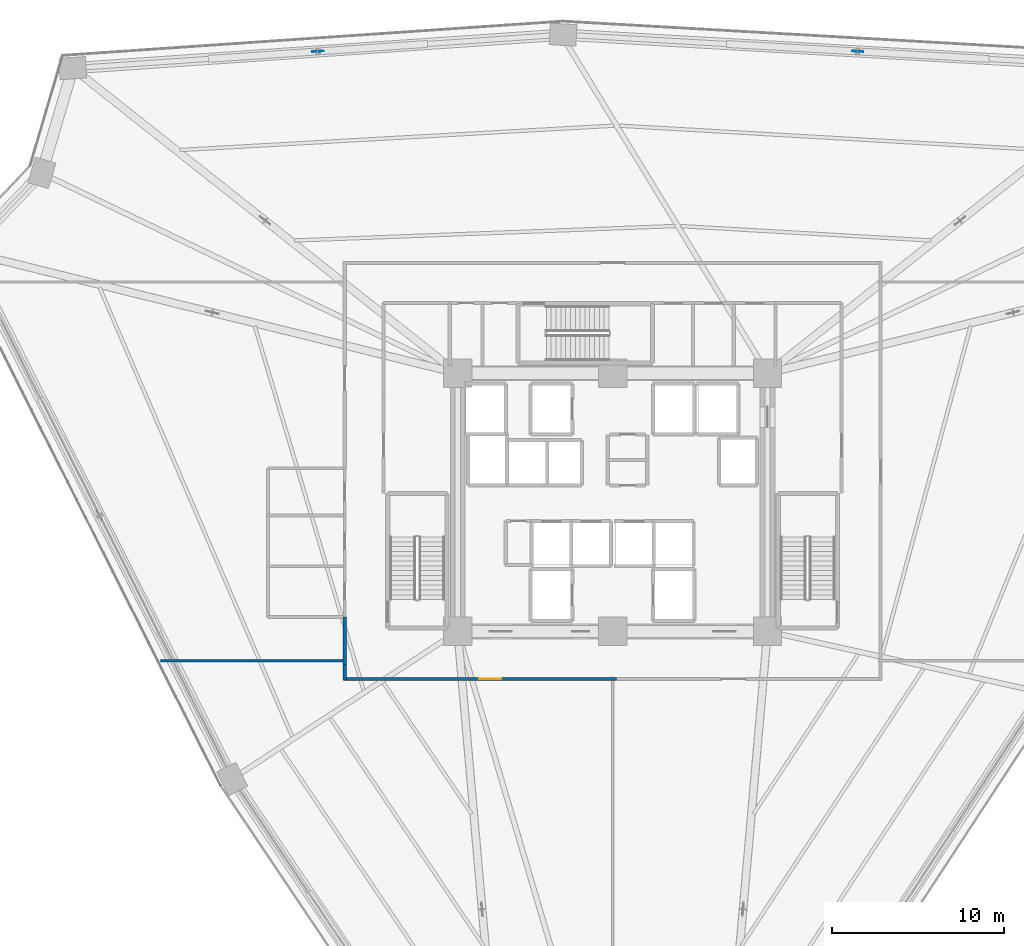
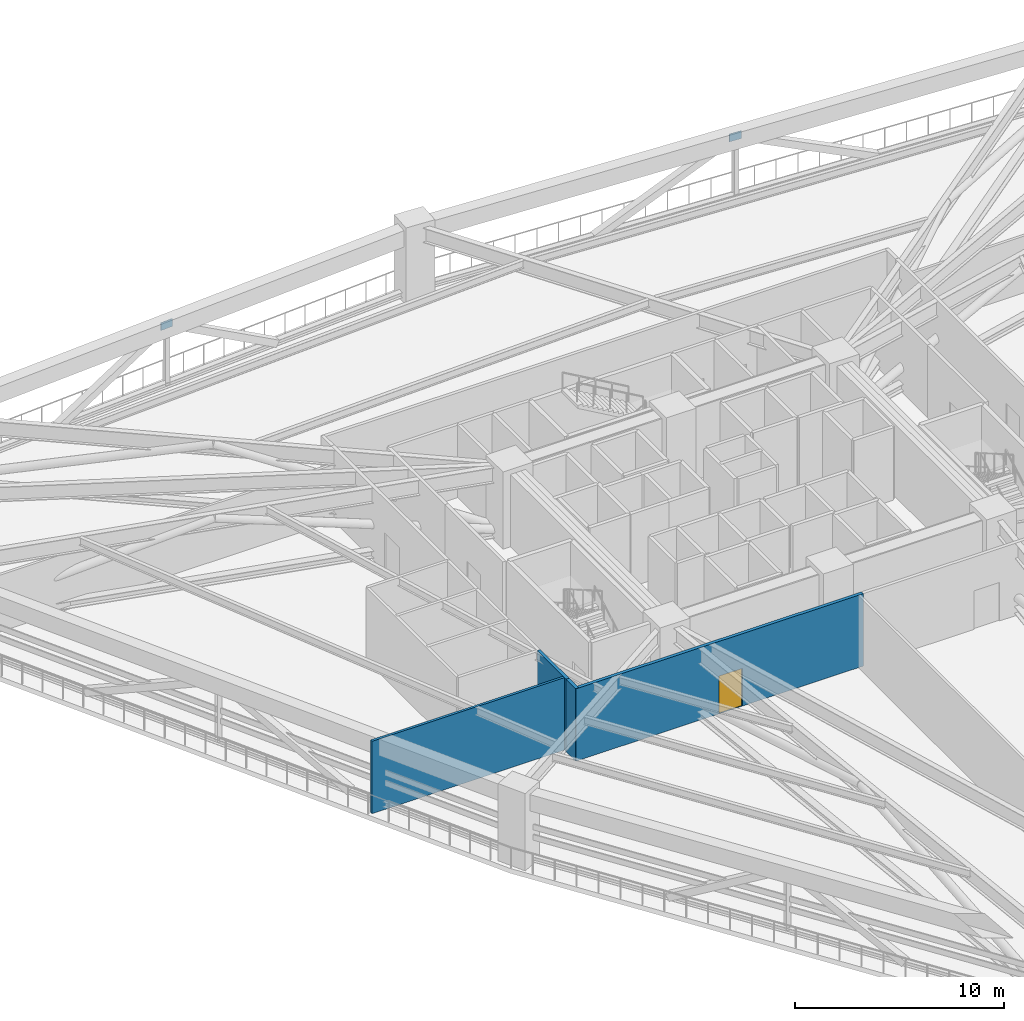
# One storey, part 16 of 25: 4 walls, 2 plates, 1 door, 1 opening.
"""IFC4 building model written with IfcOpenShell, lengths in metres."""

from ifc_helpers import new_model, si_unit, direction, frame, frame_2d, origin, origin_2d, place, context, subcontext, project, spatial, rectangle, extrude, source, transform, mapped, material, layer, layer_set, type_object, element, fill, save


model = new_model("IFC4")

# Units and contexts
model_context = context("Model", 3, precision=1e-05, world=origin(), true_north=direction((0.0, 1.0)))
body_context = subcontext(model_context, "Body", "Model", "MODEL_VIEW")
ifc_project = project(units=[si_unit("LENGTHUNIT", "METRE"), si_unit("AREAUNIT", "SQUARE_METRE"), si_unit("VOLUMEUNIT", "CUBIC_METRE"), si_unit("PLANEANGLEUNIT", "RADIAN"), si_unit("MASSUNIT", "GRAM", prefix="KILO")], contexts=[model_context])

# Site, building, storey
site_placement = place(None, origin())
site = spatial("IfcSite", under=ifc_project, at=site_placement, CompositionType="ELEMENT")
building_placement = place(site_placement, origin())
building = spatial("IfcBuilding", under=site, at=building_placement, Name="Liaohun Quay Tower", CompositionType="ELEMENT")
storey_placement = place(building_placement, frame((0.0, 0.0, 93.0)))
storey = spatial("IfcBuildingStorey", under=building, at=storey_placement, Name="L24", CompositionType="ELEMENT", Elevation=93.0)

# Plates
ifc_material_1 = material(Name="Steel Q420D outrigger node gusset plate", Category="steel")
ifc_layer_1 = layer(ifc_material_1, 0.0400390625, Name="Steel Q420D outrigger node gusset plate", Category="steel")
ifc_layer_set_1 = layer_set([ifc_layer_1], Name="Steel Q420D outrigger node gusset plate")
plate_type = type_object("IfcPlateType", Name="PLT-GUS-OUT", PredefinedType="USERDEFINED", material=ifc_layer_set_1)
shared_shape_1 = source(origin(), body_context, "Body", "SweptSolid", [
    extrude(rectangle(XDim=0.64990234375, YDim=0.035888671875, at=origin_2d()), origin(), (0.0, 0.0, 1.0), 0.449951171875),
])
for number, where, z_axis, x_axis, name in (
    (1, (42.8798828125, 80.195068359375, 3.59521484375), (0.0, 0.0, 1.0), (0.997672392732, 0.068189418384, 0.0), "L24 Belt Truss Node Gusset Plate GP1-B03"),
    (2, (74.2451171875, 80.19189453125, 3.59521484375), (0.0, 0.0, 1.0), (0.998381760593, -0.056867038918, 0.0), "L24 Belt Truss Node Gusset Plate GP1-B04"),
):
    element("IfcPlate", number, at=place(storey_placement, frame(where, z_axis=z_axis, x_axis=x_axis)), inside=storey, type_object=plate_type, Name=name, ObjectType="GUSSET PLATE", PredefinedType="USERDEFINED", context=body_context, shape_type="MappedRepresentation", body=[
        mapped(shared_shape_1, transform((0.0, 0.0, 0.0), x_axis=(1.0, 0.0, 0.0), y_axis=(0.0, 1.0, 0.0), z_axis=(0.0, 0.0, 1.0), scale=1.0)),
    ])

# Wall, opening, door
ifc_material_2 = material(Name="Autoclaved aerated concrete blockwork", Category="masonry")
ifc_layer_2 = layer(ifc_material_2, 0.179931640625, Name="Autoclaved aerated concrete blockwork", Category="masonry")
ifc_layer_set_2 = layer_set([ifc_layer_2], Name="Autoclaved aerated concrete blockwork")
wall_type_1 = type_object("IfcWallType", Name="WAL-PRT-COR", PredefinedType="PARTITIONING", material=ifc_layer_set_2)
wall_1_placement = place(storey_placement, frame((60.215087890625, 43.739990234375, 0.0), z_axis=(0.0, 0.0, 1.0), x_axis=(-1.0, 0.0, 0.0)))
wall_1 = element("IfcWall", 3, at=wall_1_placement, inside=storey, type_object=wall_type_1, Name="L24 Interior Partition Wall 017", PredefinedType="PARTITIONING", context=body_context, shape_type="SweptSolid", body=[
    extrude(rectangle(XDim=15.844970703125, YDim=0.179931640625, at=frame_2d((7.92236328125, 0.0))), origin(), (0.0, 0.0, 1.0), 4.219970703125),
])
shared_shape_2 = source(origin(), body_context, "Body", "SweptSolid", [
    extrude(rectangle(XDim=1.300048828125, YDim=2.199951171875, at=frame_2d((0.64990234375, 1.10009765625))), frame((0.0, 0.099853515625, 0.0), z_axis=(0.0, -1.0, 0.0), x_axis=(1.0, 0.0, 0.0)), (0.0, 0.0, 1.0), 0.199951171875),
])
opening_placement = place(wall_1_placement, frame((6.673095703125, 0.0, 0.0)))
opening = element("IfcOpeningElement", 4, at=opening_placement, cuts=wall_1, Name="Opening FD1", PredefinedType="OPENING", context=body_context, shape_type="MappedRepresentation", body=[
    mapped(shared_shape_2, transform((0.0, 0.0, 0.0), x_axis=(1.0, 0.0, 0.0), y_axis=(0.0, 1.0, 0.0), z_axis=(0.0, 0.0, 1.0), scale=1.0)),
])
ifc_material_3 = material(Name="Galvanised steel smokeproof fire door", Category="steel")
door_type = type_object("IfcDoorType", Name="DOR-FFL-1300", OperationType="NOTDEFINED", PredefinedType="DOOR", material=ifc_material_3)
shared_shape_3 = source(origin(), body_context, "Body", "SweptSolid", [
    extrude(rectangle(XDim=1.300048828125, YDim=2.199951171875, at=frame_2d((0.64990234375, 1.10009765625))), frame((0.0, 0.02490234375, 0.0), z_axis=(0.0, -1.0, 0.0), x_axis=(1.0, 0.0, 0.0)), (0.0, 0.0, 1.0), 0.050048828125),
])
door_placement = place(opening_placement, origin())
door = element("IfcDoor", 5, at=door_placement, inside=storey, type_object=door_type, Name="L24 North Open-Air Refuge Staging Area Door", OperationType="SINGLE_SWING_LEFT", OverallHeight=2.199951171875, OverallWidth=1.300048828125, PredefinedType="DOOR", context=body_context, shape_type="MappedRepresentation", body=[
    mapped(shared_shape_3, transform((0.0, 0.0, 0.0), x_axis=(1.0, 0.0, 0.0), y_axis=(0.0, 1.0, 0.0), z_axis=(0.0, 0.0, 1.0), scale=1.0)),
])
fill(opening, door)

# Walls
wall_2_placement = place(storey_placement, frame((44.43994140625, 44.5849609375, 0.0), z_axis=(0.0, 0.0, 1.0), x_axis=(0.0, 1.0, 0.0)))
element("IfcWall", 6, at=wall_2_placement, inside=storey, type_object=wall_type_1, Name="L24 Interior Partition Wall 040", PredefinedType="PARTITIONING", context=body_context, shape_type="SweptSolid", body=[
    extrude(rectangle(XDim=2.755126953125, YDim=0.179931640625, at=frame_2d((1.37744140625, 0.0))), origin(), (0.0, 0.0, 1.0), 4.219970703125),
])
wall_3_placement = place(storey_placement, frame((44.43994140625, 43.669921875, 0.0), z_axis=(0.0, 0.0, 1.0), x_axis=(0.0, 1.0, 0.0)))
element("IfcWall", 7, at=wall_3_placement, inside=storey, type_object=wall_type_1, Name="L24 Interior Partition Wall 041", PredefinedType="PARTITIONING", context=body_context, shape_type="SweptSolid", body=[
    extrude(rectangle(XDim=0.9150390625, YDim=0.179931640625, at=frame_2d((0.45751953125, 0.0))), origin(), (0.0, 0.0, 1.0), 4.219970703125),
])
ifc_material_4 = material(Name="Gypsum board on twin steel studs", Category="steel")
ifc_layer_3 = layer(ifc_material_4, 0.139892578125, Name="Gypsum board on twin steel studs", Category="steel")
ifc_layer_set_3 = layer_set([ifc_layer_3], Name="Gypsum board on twin steel studs")
wall_type_2 = type_object("IfcWallType", Name="WAL-PRT-OFF", PredefinedType="PARTITIONING", material=ifc_layer_set_3)
wall_4_placement = place(storey_placement, frame((44.5400390625, 44.800048828125, 0.0), z_axis=(0.0, 0.0, 1.0), x_axis=(-1.0, 0.0, 0.0)))
element("IfcWall", 8, at=wall_4_placement, inside=storey, type_object=wall_type_2, Name="L24 Interior Partition Wall 043", PredefinedType="PARTITIONING", context=body_context, shape_type="SweptSolid", body=[
    extrude(rectangle(XDim=10.800048828125, YDim=0.139892578125, at=frame_2d((5.39990234375, 0.0))), origin(), (0.0, 0.0, 1.0), 4.219970703125),
])

save(model, "model.ifc")
